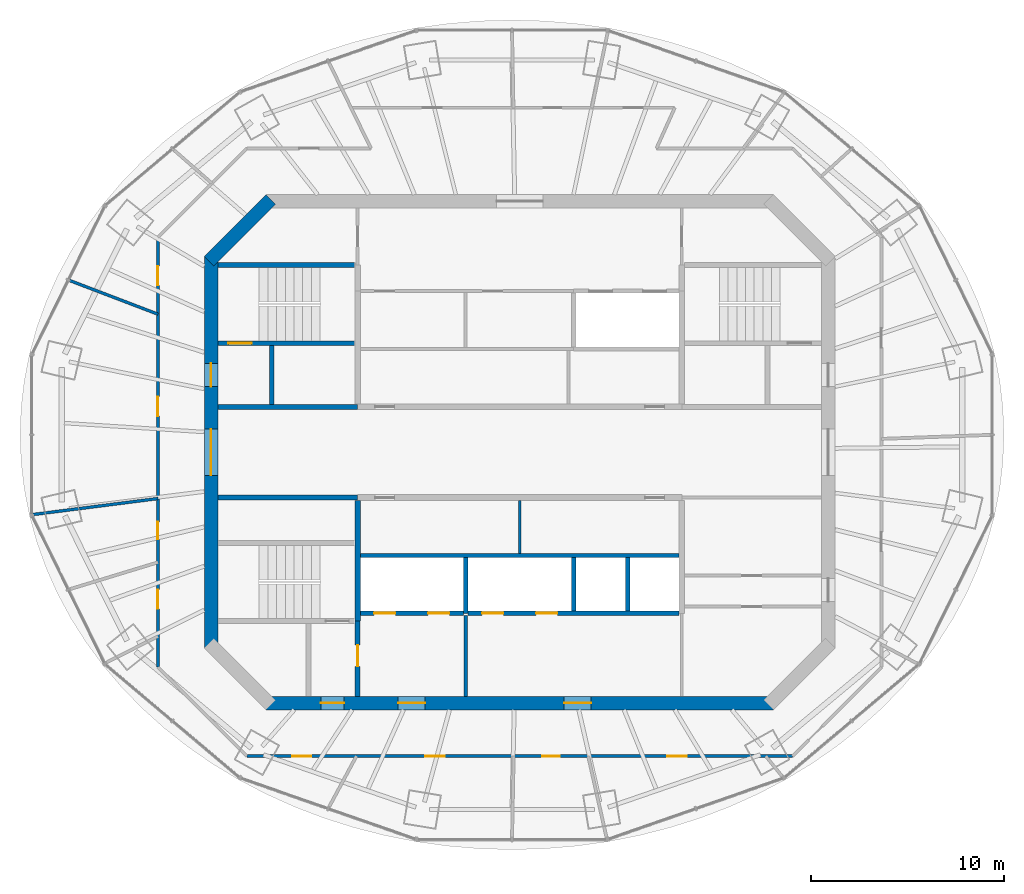
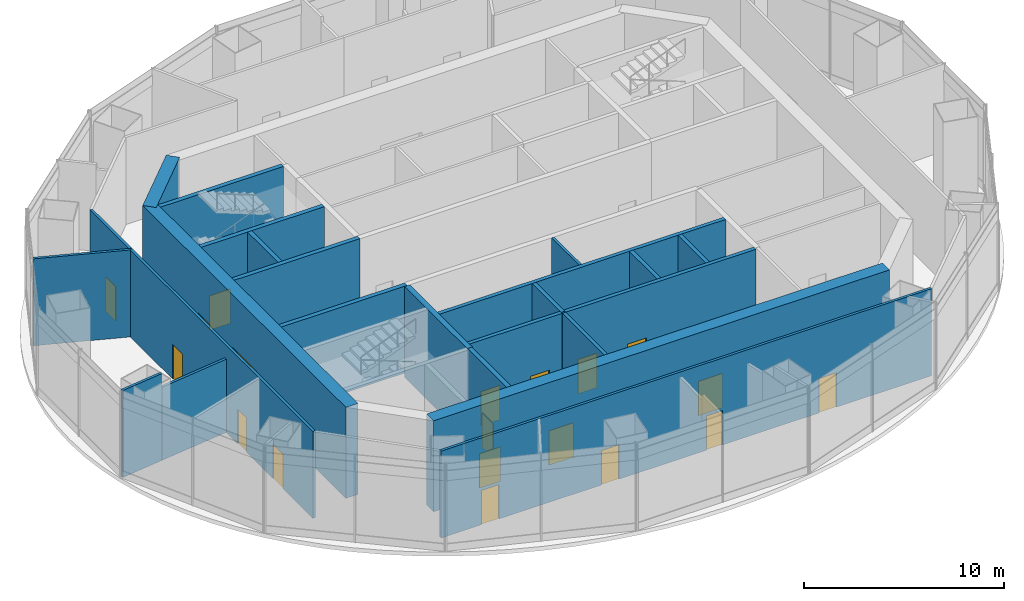
# One storey, part 9 of 13: 23 walls, 19 doors, 19 openings.
"""IFC4 building model written with IfcOpenShell, lengths in metres."""

from ifc_helpers import new_model, si_unit, direction, frame, frame_2d, origin, place, context, subcontext, project, spatial, rectangle, extrude, material, layer, layer_set, type_object, element, fill, save


model = new_model("IFC4")

# Units and contexts
model_context = context("Model", 3, precision=1e-05, world=origin(), true_north=direction((0.0, 1.0)))
body_context = subcontext(model_context, "Body", "Model", "MODEL_VIEW")
ifc_project = project(units=[si_unit("LENGTHUNIT", "METRE"), si_unit("AREAUNIT", "SQUARE_METRE"), si_unit("VOLUMEUNIT", "CUBIC_METRE"), si_unit("PLANEANGLEUNIT", "RADIAN"), si_unit("MASSUNIT", "GRAM", prefix="KILO")], contexts=[model_context])

# Site, building, storey
site_placement = place(None, origin())
site = spatial("IfcSite", under=ifc_project, at=site_placement, CompositionType="ELEMENT")
building_placement = place(site_placement, origin())
building = spatial("IfcBuilding", under=site, at=building_placement, Name="Marenthal Gate Tower", CompositionType="ELEMENT")
storey_placement = place(building_placement, frame((0.0, 0.0, 401.949951171875)))
storey = spatial("IfcBuildingStorey", under=building, at=storey_placement, Name="L91", CompositionType="ELEMENT", Elevation=401.949951171875)

# Wall
ifc_material_1 = material(Name="Concrete 60 MPa", Category="concrete")
ifc_layer_1 = layer(ifc_material_1, 0.699951171875)
ifc_layer_set_1 = layer_set([ifc_layer_1], Name="Core shear wall 700")
wall_type_1 = type_object("IfcWallType", Name="Core shear wall 700", PredefinedType="SHEAR", material=ifc_layer_set_1)
wall_1_placement = place(storey_placement, frame((-12.8974609375, 13.1025390625, -0.25), z_axis=(0.0, 0.0, 1.0), x_axis=(-0.707106781187, -0.707106781187, 0.0)))
element("IfcWall", 1, at=wall_1_placement, inside=storey, type_object=wall_type_1, Name="Core wall 05", PredefinedType="SHEAR", context=body_context, shape_type="SweptSolid", body=[
    extrude(rectangle(XDim=4.53271484375, YDim=0.699951171875, at=frame_2d((2.266357421875, 0.0))), origin(), (0.0, 0.0, 1.0), 5.550048828125),
])

# Wall, openings, doors
wall_2_placement = place(storey_placement, frame((-16.0, 10.14501953125, -0.25), z_axis=(0.0, 0.0, 1.0), x_axis=(0.0, -1.0, 0.0)))
wall_2 = element("IfcWall", 2, at=wall_2_placement, inside=storey, type_object=wall_type_1, Name="Core wall 06", PredefinedType="SHEAR", context=body_context, shape_type="SweptSolid", body=[
    extrude(rectangle(XDim=20.2900390625, YDim=0.699951171875, at=frame_2d((10.14501953125, 0.0))), origin(), (0.0, 0.0, 1.0), 5.550048828125),
])
opening_1_placement = place(wall_2_placement, frame((8.945068359375, 0.0, 0.25)))
opening_1 = element("IfcOpeningElement", 3, at=opening_1_placement, cuts=wall_2, Name="Opening D003.01", PredefinedType="OPENING", context=body_context, shape_type="SweptSolid", body=[
    extrude(rectangle(XDim=2.39990234375, YDim=2.10009765625, at=frame_2d((1.199951171875, 1.050048828125))), frame((0.0, 0.35986328125, 0.0), z_axis=(0.0, -1.0, 0.0), x_axis=(1.0, 0.0, 0.0)), (0.0, 0.0, 1.0), 0.719970703125),
])
opening_2_placement = place(wall_2_placement, frame((5.544921875, 0.0, 0.25)))
opening_2 = element("IfcOpeningElement", 4, at=opening_2_placement, cuts=wall_2, Name="Opening D001.04", PredefinedType="OPENING", context=body_context, shape_type="SweptSolid", body=[
    extrude(rectangle(XDim=1.199951171875, YDim=2.10009765625, at=frame_2d((0.60009765625, 1.050048828125))), frame((0.0, 0.35986328125, 0.0), z_axis=(0.0, -1.0, 0.0), x_axis=(1.0, 0.0, 0.0)), (0.0, 0.0, 1.0), 0.719970703125),
])
ifc_material_2 = material(Name="Steel fire door", Category="steel")
door_type_1 = type_object("IfcDoorType", Name="Double fire door FD 45 2400 x 2100", OperationType="DOUBLE_DOOR_SINGLE_SWING", PredefinedType="DOOR", material=ifc_material_2)
door_1_placement = place(opening_1_placement, origin())
door_1 = element("IfcDoor", 5, at=door_1_placement, inside=storey, type_object=door_type_1, Name="Door D003.01", OperationType="DOUBLE_DOOR_SINGLE_SWING", OverallHeight=2.10009765625, OverallWidth=2.39990234375, PredefinedType="DOOR", context=body_context, shape_type="SweptSolid", body=[
    extrude(rectangle(XDim=2.39990234375, YDim=2.10009765625, at=frame_2d((1.199951171875, 1.050048828125))), frame((0.0, 0.02490234375, 0.0), z_axis=(0.0, -1.0, 0.0), x_axis=(1.0, 0.0, 0.0)), (0.0, 0.0, 1.0), 0.050048828125),
])
fill(opening_1, door_1)
ifc_material_3 = material(Name="Steel fire door", Category="steel")
door_type_2 = type_object("IfcDoorType", Name="Fire door FD 90 1200 x 2100", OperationType="NOTDEFINED", PredefinedType="DOOR", material=ifc_material_3)
door_2_placement = place(opening_2_placement, origin())
door_2 = element("IfcDoor", 6, at=door_2_placement, inside=storey, type_object=door_type_2, Name="Door D001.04", OperationType="SINGLE_SWING_RIGHT", OverallHeight=2.10009765625, OverallWidth=1.199951171875, PredefinedType="DOOR", context=body_context, shape_type="SweptSolid", body=[
    extrude(rectangle(XDim=1.199951171875, YDim=2.10009765625, at=frame_2d((0.60009765625, 1.050048828125))), frame((0.0, 0.02490234375, 0.0), z_axis=(0.0, -1.0, 0.0), x_axis=(1.0, 0.0, 0.0)), (0.0, 0.0, 1.0), 0.050048828125),
])
fill(opening_2, door_2)

wall_3_placement = place(storey_placement, frame((-13.14501953125, -13.0, -0.25), z_axis=(0.0, 0.0, 1.0), x_axis=(1.0, 0.0, 0.0)))
wall_3 = element("IfcWall", 7, at=wall_3_placement, inside=storey, type_object=wall_type_1, Name="Core wall 08", PredefinedType="SHEAR", context=body_context, shape_type="SweptSolid", body=[
    extrude(rectangle(XDim=26.2900390625, YDim=0.699951171875, at=frame_2d((13.14501953125, 0.0))), origin(), (0.0, 0.0, 1.0), 5.550048828125),
])
opening_3_placement = place(wall_3_placement, frame((2.844970703125, 0.0, 0.25)))
opening_3 = element("IfcOpeningElement", 8, at=opening_3_placement, cuts=wall_3, Name="Opening D001.06", PredefinedType="OPENING", context=body_context, shape_type="SweptSolid", body=[
    extrude(rectangle(XDim=1.199951171875, YDim=2.10009765625, at=frame_2d((0.60009765625, 1.050048828125))), frame((0.0, 0.35986328125, 0.0), z_axis=(0.0, -1.0, 0.0), x_axis=(1.0, 0.0, 0.0)), (0.0, 0.0, 1.0), 0.719970703125),
])
opening_4_placement = place(wall_3_placement, frame((6.844970703125, 0.0, 0.25)))
opening_4 = element("IfcOpeningElement", 9, at=opening_4_placement, cuts=wall_3, Name="Opening D004.01", PredefinedType="OPENING", context=body_context, shape_type="SweptSolid", body=[
    extrude(rectangle(XDim=1.39990234375, YDim=2.10009765625, at=frame_2d((0.699951171875, 1.050048828125))), frame((0.0, 0.35986328125, 0.0), z_axis=(0.0, -1.0, 0.0), x_axis=(1.0, 0.0, 0.0)), (0.0, 0.0, 1.0), 0.719970703125),
])
opening_5_placement = place(wall_3_placement, frame((15.445068359375, 0.0, 0.25)))
opening_5 = element("IfcOpeningElement", 10, at=opening_5_placement, cuts=wall_3, Name="Opening D004.02", PredefinedType="OPENING", context=body_context, shape_type="SweptSolid", body=[
    extrude(rectangle(XDim=1.39990234375, YDim=2.10009765625, at=frame_2d((0.699951171875, 1.050048828125))), frame((0.0, 0.35986328125, 0.0), z_axis=(0.0, -1.0, 0.0), x_axis=(1.0, 0.0, 0.0)), (0.0, 0.0, 1.0), 0.719970703125),
])
ifc_material_4 = material(Name="Steel fire door", Category="steel")
door_type_3 = type_object("IfcDoorType", Name="Fire door FD 45 1400 x 2100", OperationType="NOTDEFINED", PredefinedType="DOOR", material=ifc_material_4)
door_3_placement = place(opening_4_placement, origin())
door_3 = element("IfcDoor", 11, at=door_3_placement, inside=storey, type_object=door_type_3, Name="Door D004.01", OperationType="SINGLE_SWING_RIGHT", OverallHeight=2.10009765625, OverallWidth=1.39990234375, PredefinedType="DOOR", context=body_context, shape_type="SweptSolid", body=[
    extrude(rectangle(XDim=1.39990234375, YDim=2.10009765625, at=frame_2d((0.699951171875, 1.050048828125))), frame((0.0, 0.02490234375, 0.0), z_axis=(0.0, -1.0, 0.0), x_axis=(1.0, 0.0, 0.0)), (0.0, 0.0, 1.0), 0.050048828125),
])
fill(opening_4, door_3)
door_4_placement = place(opening_5_placement, origin())
door_4 = element("IfcDoor", 12, at=door_4_placement, inside=storey, type_object=door_type_3, Name="Door D004.02", OperationType="SINGLE_SWING_RIGHT", OverallHeight=2.10009765625, OverallWidth=1.39990234375, PredefinedType="DOOR", context=body_context, shape_type="SweptSolid", body=[
    extrude(rectangle(XDim=1.39990234375, YDim=2.10009765625, at=frame_2d((0.699951171875, 1.050048828125))), frame((0.0, 0.02490234375, 0.0), z_axis=(0.0, -1.0, 0.0), x_axis=(1.0, 0.0, 0.0)), (0.0, 0.0, 1.0), 0.050048828125),
])
fill(opening_5, door_4)
door_5_placement = place(opening_3_placement, origin())
door_5 = element("IfcDoor", 13, at=door_5_placement, inside=storey, type_object=door_type_2, Name="Door D001.06", OperationType="SINGLE_SWING_RIGHT", OverallHeight=2.10009765625, OverallWidth=1.199951171875, PredefinedType="DOOR", context=body_context, shape_type="SweptSolid", body=[
    extrude(rectangle(XDim=1.199951171875, YDim=2.10009765625, at=frame_2d((0.60009765625, 1.050048828125))), frame((0.0, 0.02490234375, 0.0), z_axis=(0.0, -1.0, 0.0), x_axis=(1.0, 0.0, 0.0)), (0.0, 0.0, 1.0), 0.050048828125),
])
fill(opening_3, door_5)

# Walls
ifc_material_5 = material(Name="Gypsum board on steel studs", Category="steel")
ifc_layer_2 = layer(ifc_material_5, 0.199951171875)
ifc_layer_set_2 = layer_set([ifc_layer_2], Name="Fire lobby wall 200")
wall_type_2 = type_object("IfcWallType", Name="Fire lobby wall 200", PredefinedType="PARTITIONING", material=ifc_layer_set_2)
wall_4_placement = place(storey_placement, frame((-2.800048828125, -12.64990234375, 0.0), z_axis=(0.0, 0.0, 1.0), x_axis=(0.0, 1.0, 0.0)))
element("IfcWall", 14, at=wall_4_placement, inside=storey, type_object=wall_type_2, Name="Fire wall 37", PredefinedType="PARTITIONING", context=body_context, shape_type="SweptSolid", body=[
    extrude(rectangle(XDim=4.18994140625, YDim=0.199951171875, at=frame_2d((2.094970703125, 0.0))), origin(), (0.0, 0.0, 1.0), 5.300048828125),
])
ifc_material_6 = material(Name="Concrete 50 MPa", Category="concrete")
ifc_layer_3 = layer(ifc_material_6, 0.300048828125)
ifc_layer_set_3 = layer_set([ifc_layer_3], Name="Hoistway shear wall 300")
wall_type_3 = type_object("IfcWallType", Name="Hoistway shear wall 300", PredefinedType="SHEAR", material=ifc_layer_set_3)
wall_5_placement = place(storey_placement, frame((-8.39990234375, -8.75, -0.25), z_axis=(0.0, 0.0, 1.0), x_axis=(0.0, 1.0, 0.0)))
element("IfcWall", 15, at=wall_5_placement, inside=storey, type_object=wall_type_3, Name="Hoistway wall 33", PredefinedType="SHEAR", context=body_context, shape_type="SweptSolid", body=[
    extrude(rectangle(XDim=6.25, YDim=0.300048828125, at=frame_2d((3.125, 0.0))), origin(), (0.0, 0.0, 1.0), 5.550048828125),
])

# Wall, openings, doors
ifc_material_7 = material(Name="Concrete 40 MPa", Category="concrete")
ifc_layer_4 = layer(ifc_material_7, 0.219970703125)
ifc_layer_set_4 = layer_set([ifc_layer_4], Name="Hoistway wall 220")
wall_type_4 = type_object("IfcWallType", Name="Hoistway wall 220", PredefinedType="STANDARD", material=ifc_layer_set_4)
wall_6_placement = place(storey_placement, frame((-8.25, -8.35009765625, 0.0), z_axis=(0.0, 0.0, 1.0), x_axis=(1.0, 0.0, 0.0)))
wall_6 = element("IfcWall", 16, at=wall_6_placement, inside=storey, type_object=wall_type_4, Name="Hoistway wall 10", PredefinedType="STANDARD", context=body_context, shape_type="SweptSolid", body=[
    extrude(rectangle(XDim=5.340087890625, YDim=0.219970703125, at=frame_2d((2.669921875, 0.0))), origin(), (0.0, 0.0, 1.0), 5.300048828125),
])
opening_6_placement = place(wall_6_placement, frame((0.699951171875, 0.0, 0.0)))
opening_6 = element("IfcOpeningElement", 17, at=opening_6_placement, cuts=wall_6, Name="Opening LD-LF1", PredefinedType="OPENING", context=body_context, shape_type="SweptSolid", body=[
    extrude(rectangle(XDim=1.10009765625, YDim=2.10009765625, at=frame_2d((0.550048828125, 1.050048828125))), frame((0.0, 0.1201171875, 0.0), z_axis=(0.0, -1.0, 0.0), x_axis=(1.0, 0.0, 0.0)), (0.0, 0.0, 1.0), 0.239990234375),
])
opening_7_placement = place(wall_6_placement, frame((3.5, 0.0, 0.0)))
opening_7 = element("IfcOpeningElement", 18, at=opening_7_placement, cuts=wall_6, Name="Opening LD-LF2", PredefinedType="OPENING", context=body_context, shape_type="SweptSolid", body=[
    extrude(rectangle(XDim=1.10009765625, YDim=2.10009765625, at=frame_2d((0.550048828125, 1.050048828125))), frame((0.0, 0.1201171875, 0.0), z_axis=(0.0, -1.0, 0.0), x_axis=(1.0, 0.0, 0.0)), (0.0, 0.0, 1.0), 0.239990234375),
])
ifc_material_8 = material(Name="Stainless steel sliding door", Category="steel")
door_type_4 = type_object("IfcDoorType", Name="Lift landing door FD 90 1100 x 2100", OperationType="DOUBLE_DOOR_SLIDING", PredefinedType="DOOR", material=ifc_material_8)
door_6_placement = place(opening_6_placement, origin())
door_6 = element("IfcDoor", 19, at=door_6_placement, inside=storey, type_object=door_type_4, Name="Lift landing door LF1", OperationType="DOUBLE_DOOR_SLIDING", OverallHeight=2.10009765625, OverallWidth=1.10009765625, PredefinedType="DOOR", context=body_context, shape_type="SweptSolid", body=[
    extrude(rectangle(XDim=1.10009765625, YDim=2.10009765625, at=frame_2d((0.550048828125, 1.050048828125))), frame((0.0, 0.02490234375, 0.0), z_axis=(0.0, -1.0, 0.0), x_axis=(1.0, 0.0, 0.0)), (0.0, 0.0, 1.0), 0.050048828125),
])
fill(opening_6, door_6)
door_7_placement = place(opening_7_placement, origin())
door_7 = element("IfcDoor", 20, at=door_7_placement, inside=storey, type_object=door_type_4, Name="Lift landing door LF2", OperationType="DOUBLE_DOOR_SLIDING", OverallHeight=2.10009765625, OverallWidth=1.10009765625, PredefinedType="DOOR", context=body_context, shape_type="SweptSolid", body=[
    extrude(rectangle(XDim=1.10009765625, YDim=2.10009765625, at=frame_2d((0.550048828125, 1.050048828125))), frame((0.0, 0.02490234375, 0.0), z_axis=(0.0, -1.0, 0.0), x_axis=(1.0, 0.0, 0.0)), (0.0, 0.0, 1.0), 0.050048828125),
])
fill(opening_7, door_7)

wall_7_placement = place(storey_placement, frame((-2.68994140625, -8.35009765625, 0.0), z_axis=(0.0, 0.0, 1.0), x_axis=(1.0, 0.0, 0.0)))
wall_7 = element("IfcWall", 21, at=wall_7_placement, inside=storey, type_object=wall_type_4, Name="Hoistway wall 11", PredefinedType="STANDARD", context=body_context, shape_type="SweptSolid", body=[
    extrude(rectangle(XDim=10.93994140625, YDim=0.219970703125, at=frame_2d((5.469970703125, 0.0))), origin(), (0.0, 0.0, 1.0), 5.300048828125),
])
opening_8_placement = place(wall_7_placement, frame((0.739990234375, 0.0, 0.0)))
opening_8 = element("IfcOpeningElement", 22, at=opening_8_placement, cuts=wall_7, Name="Opening LD-SV1", PredefinedType="OPENING", context=body_context, shape_type="SweptSolid", body=[
    extrude(rectangle(XDim=1.10009765625, YDim=2.10009765625, at=frame_2d((0.550048828125, 1.050048828125))), frame((0.0, 0.1201171875, 0.0), z_axis=(0.0, -1.0, 0.0), x_axis=(1.0, 0.0, 0.0)), (0.0, 0.0, 1.0), 0.239990234375),
])
opening_9_placement = place(wall_7_placement, frame((3.5400390625, 0.0, 0.0)))
opening_9 = element("IfcOpeningElement", 23, at=opening_9_placement, cuts=wall_7, Name="Opening LD-SV2", PredefinedType="OPENING", context=body_context, shape_type="SweptSolid", body=[
    extrude(rectangle(XDim=1.10009765625, YDim=2.10009765625, at=frame_2d((0.550048828125, 1.050048828125))), frame((0.0, 0.1201171875, 0.0), z_axis=(0.0, -1.0, 0.0), x_axis=(1.0, 0.0, 0.0)), (0.0, 0.0, 1.0), 0.239990234375),
])
door_8_placement = place(opening_8_placement, origin())
door_8 = element("IfcDoor", 24, at=door_8_placement, inside=storey, type_object=door_type_4, Name="Lift landing door SV1", OperationType="DOUBLE_DOOR_SLIDING", OverallHeight=2.10009765625, OverallWidth=1.10009765625, PredefinedType="DOOR", context=body_context, shape_type="SweptSolid", body=[
    extrude(rectangle(XDim=1.10009765625, YDim=2.10009765625, at=frame_2d((0.550048828125, 1.050048828125))), frame((0.0, 0.02490234375, 0.0), z_axis=(0.0, -1.0, 0.0), x_axis=(1.0, 0.0, 0.0)), (0.0, 0.0, 1.0), 0.050048828125),
])
fill(opening_8, door_8)
door_9_placement = place(opening_9_placement, origin())
door_9 = element("IfcDoor", 25, at=door_9_placement, inside=storey, type_object=door_type_4, Name="Lift landing door SV2", OperationType="DOUBLE_DOOR_SLIDING", OverallHeight=2.10009765625, OverallWidth=1.10009765625, PredefinedType="DOOR", context=body_context, shape_type="SweptSolid", body=[
    extrude(rectangle(XDim=1.10009765625, YDim=2.10009765625, at=frame_2d((0.550048828125, 1.050048828125))), frame((0.0, 0.02490234375, 0.0), z_axis=(0.0, -1.0, 0.0), x_axis=(1.0, 0.0, 0.0)), (0.0, 0.0, 1.0), 0.050048828125),
])
fill(opening_9, door_9)

# Walls
wall_8_placement = place(storey_placement, frame((-8.25, -5.35009765625, 0.0), z_axis=(0.0, 0.0, 1.0), x_axis=(1.0, 0.0, 0.0)))
element("IfcWall", 26, at=wall_8_placement, inside=storey, type_object=wall_type_4, Name="Hoistway wall 14", PredefinedType="STANDARD", context=body_context, shape_type="SweptSolid", body=[
    extrude(rectangle(XDim=16.5, YDim=0.219970703125, at=frame_2d((8.25, 0.0))), origin(), (0.0, 0.0, 1.0), 5.300048828125),
])
wall_9_placement = place(storey_placement, frame((-2.800048828125, -8.35009765625, 0.0), z_axis=(0.0, 0.0, 1.0), x_axis=(0.0, 1.0, 0.0)))
element("IfcWall", 27, at=wall_9_placement, inside=storey, type_object=wall_type_4, Name="Hoistway wall 38", PredefinedType="STANDARD", context=body_context, shape_type="SweptSolid", body=[
    extrude(rectangle(XDim=2.89013671875, YDim=0.219970703125, at=frame_2d((1.445068359375, 0.0))), origin(), (0.0, 0.0, 1.0), 5.300048828125),
])
for number, where, z_axis, x_axis, name in (
    (28, (2.800048828125, -8.239990234375, 0.0), (0.0, 0.0, 1.0), (0.0, 1.0, 0.0), "Hoistway wall 42"),
    (29, (5.60009765625, -8.239990234375, 0.0), (0.0, 0.0, 1.0), (0.0, 1.0, 0.0), "Hoistway wall 44"),
):
    element("IfcWall", number, at=place(storey_placement, frame(where, z_axis=z_axis, x_axis=x_axis)), inside=storey, type_object=wall_type_4, Name=name, PredefinedType="STANDARD", context=body_context, shape_type="SweptSolid", body=[
        extrude(rectangle(XDim=2.780029296875, YDim=0.219970703125, at=frame_2d((1.39013671875, 0.0))), origin(), (0.0, 0.0, 1.0), 5.300048828125),
    ])
ifc_material_9 = material(Name="Gypsum board on steel studs", Category="steel")
ifc_layer_5 = layer(ifc_material_9, 0.14990234375)
ifc_layer_set_5 = layer_set([ifc_layer_5], Name="Partition 150")
wall_type_5 = type_object("IfcWallType", Name="Partition 150", PredefinedType="PARTITIONING", material=ifc_layer_set_5)
wall_10_placement = place(storey_placement, frame((0.0, -5.239990234375, 0.0), z_axis=(0.0, 0.0, 1.0), x_axis=(0.0, 1.0, 0.0)))
element("IfcWall", 30, at=wall_10_placement, inside=storey, type_object=wall_type_5, Name="Partition wall 40", PredefinedType="PARTITIONING", context=body_context, shape_type="SweptSolid", body=[
    extrude(rectangle(XDim=2.739990234375, YDim=0.14990234375, at=frame_2d((1.3701171875, 0.0))), origin(), (0.0, 0.0, 1.0), 5.300048828125),
])

# Wall, openings, doors
wall_11_placement = place(storey_placement, frame((-14.13916015625, -15.75, 0.0), z_axis=(0.0, 0.0, 1.0), x_axis=(1.0, 0.0, 0.0)))
wall_11 = element("IfcWall", 31, at=wall_11_placement, inside=storey, type_object=wall_type_5, Name="Partition wall 51", PredefinedType="PARTITIONING", context=body_context, shape_type="SweptSolid", body=[
    extrude(rectangle(XDim=28.2783203125, YDim=0.14990234375, at=frame_2d((14.13916015625, 0.0))), origin(), (0.0, 0.0, 1.0), 5.300048828125),
])
opening_10_placement = place(wall_11_placement, frame((2.338134765625, 0.0, 0.0)))
opening_10 = element("IfcOpeningElement", 32, at=opening_10_placement, cuts=wall_11, Name="Opening D012.01", PredefinedType="OPENING", context=body_context, shape_type="SweptSolid", body=[
    extrude(rectangle(XDim=1.0, YDim=2.10009765625, at=frame_2d((0.5, 1.050048828125))), frame((0.0, 0.0849609375, 0.0), z_axis=(0.0, -1.0, 0.0), x_axis=(1.0, 0.0, 0.0)), (0.0, 0.0, 1.0), 0.169921875),
])
opening_11_placement = place(wall_11_placement, frame((9.250732421875, 0.0, 0.0)))
opening_11 = element("IfcOpeningElement", 33, at=opening_11_placement, cuts=wall_11, Name="Opening D012.02", PredefinedType="OPENING", context=body_context, shape_type="SweptSolid", body=[
    extrude(rectangle(XDim=1.0, YDim=2.10009765625, at=frame_2d((0.5, 1.050048828125))), frame((0.0, 0.0849609375, 0.0), z_axis=(0.0, -1.0, 0.0), x_axis=(1.0, 0.0, 0.0)), (0.0, 0.0, 1.0), 0.169921875),
])
opening_12_placement = place(wall_11_placement, frame((15.306396484375, 0.0, 0.0)))
opening_12 = element("IfcOpeningElement", 34, at=opening_12_placement, cuts=wall_11, Name="Opening D011.01", PredefinedType="OPENING", context=body_context, shape_type="SweptSolid", body=[
    extrude(rectangle(XDim=0.89990234375, YDim=2.10009765625, at=frame_2d((0.449951171875, 1.050048828125))), frame((0.0, 0.0849609375, 0.0), z_axis=(0.0, -1.0, 0.0), x_axis=(1.0, 0.0, 0.0)), (0.0, 0.0, 1.0), 0.169921875),
])
opening_13_placement = place(wall_11_placement, frame((21.789306640625, 0.0, 0.0)))
opening_13 = element("IfcOpeningElement", 35, at=opening_13_placement, cuts=wall_11, Name="Opening D012.03", PredefinedType="OPENING", context=body_context, shape_type="SweptSolid", body=[
    extrude(rectangle(XDim=1.0, YDim=2.10009765625, at=frame_2d((0.5, 1.050048828125))), frame((0.0, 0.0849609375, 0.0), z_axis=(0.0, -1.0, 0.0), x_axis=(1.0, 0.0, 0.0)), (0.0, 0.0, 1.0), 0.169921875),
])
ifc_material_10 = material(Name="Timber door", Category="wood")
door_type_5 = type_object("IfcDoorType", Name="Door 1000 x 2100", OperationType="NOTDEFINED", PredefinedType="DOOR", material=ifc_material_10)
door_10_placement = place(opening_10_placement, frame((1.0, 0.0, 0.0), z_axis=(0.0, 0.0, 1.0), x_axis=(-1.0, 0.0, 0.0)))
door_10 = element("IfcDoor", 36, at=door_10_placement, inside=storey, type_object=door_type_5, Name="Door D012.01", OperationType="SINGLE_SWING_LEFT", OverallHeight=2.10009765625, OverallWidth=1.0, PredefinedType="DOOR", context=body_context, shape_type="SweptSolid", body=[
    extrude(rectangle(XDim=1.0, YDim=2.10009765625, at=frame_2d((0.5, 1.050048828125))), frame((0.0, 0.02490234375, 0.0), z_axis=(0.0, -1.0, 0.0), x_axis=(1.0, 0.0, 0.0)), (0.0, 0.0, 1.0), 0.050048828125),
])
fill(opening_10, door_10)
door_11_placement = place(opening_11_placement, frame((1.0, 0.0, 0.0), z_axis=(0.0, 0.0, 1.0), x_axis=(-1.0, 0.0, 0.0)))
door_11 = element("IfcDoor", 37, at=door_11_placement, inside=storey, type_object=door_type_5, Name="Door D012.02", OperationType="SINGLE_SWING_LEFT", OverallHeight=2.10009765625, OverallWidth=1.0, PredefinedType="DOOR", context=body_context, shape_type="SweptSolid", body=[
    extrude(rectangle(XDim=1.0, YDim=2.10009765625, at=frame_2d((0.5, 1.050048828125))), frame((0.0, 0.02490234375, 0.0), z_axis=(0.0, -1.0, 0.0), x_axis=(1.0, 0.0, 0.0)), (0.0, 0.0, 1.0), 0.050048828125),
])
fill(opening_11, door_11)
door_12_placement = place(opening_13_placement, frame((1.0, 0.0, 0.0), z_axis=(0.0, 0.0, 1.0), x_axis=(-1.0, 0.0, 0.0)))
door_12 = element("IfcDoor", 38, at=door_12_placement, inside=storey, type_object=door_type_5, Name="Door D012.03", OperationType="SINGLE_SWING_LEFT", OverallHeight=2.10009765625, OverallWidth=1.0, PredefinedType="DOOR", context=body_context, shape_type="SweptSolid", body=[
    extrude(rectangle(XDim=1.0, YDim=2.10009765625, at=frame_2d((0.5, 1.050048828125))), frame((0.0, 0.02490234375, 0.0), z_axis=(0.0, -1.0, 0.0), x_axis=(1.0, 0.0, 0.0)), (0.0, 0.0, 1.0), 0.050048828125),
])
fill(opening_13, door_12)
ifc_material_11 = material(Name="Timber door", Category="wood")
door_type_6 = type_object("IfcDoorType", Name="Door 900 x 2100", OperationType="NOTDEFINED", PredefinedType="DOOR", material=ifc_material_11)
door_13_placement = place(opening_12_placement, frame((0.89990234375, 0.0, 0.0), z_axis=(0.0, 0.0, 1.0), x_axis=(-1.0, 0.0, 0.0)))
door_13 = element("IfcDoor", 39, at=door_13_placement, inside=storey, type_object=door_type_6, Name="Door D011.01", OperationType="SINGLE_SWING_LEFT", OverallHeight=2.10009765625, OverallWidth=0.89990234375, PredefinedType="DOOR", context=body_context, shape_type="SweptSolid", body=[
    extrude(rectangle(XDim=0.89990234375, YDim=2.10009765625, at=frame_2d((0.449951171875, 1.050048828125))), frame((0.0, 0.02490234375, 0.0), z_axis=(0.0, -1.0, 0.0), x_axis=(1.0, 0.0, 0.0)), (0.0, 0.0, 1.0), 0.050048828125),
])
fill(opening_12, door_13)

# Walls
wall_12_placement = place(storey_placement, frame((-25.272216796875, -3.23828125, 0.0), z_axis=(0.0, 0.0, 1.0), x_axis=(0.991892586567, 0.127079096286, 0.0)))
element("IfcWall", 40, at=wall_12_placement, inside=storey, type_object=wall_type_5, Name="Partition wall 55", PredefinedType="PARTITIONING", context=body_context, shape_type="SweptSolid", body=[
    extrude(rectangle(XDim=2.457275390625, YDim=0.14990234375, at=frame_2d((1.228515625, 0.0))), origin(), (0.0, 0.0, 1.0), 5.300048828125),
])
wall_13_placement = place(storey_placement, frame((-22.8349609375, -2.926025390625, 0.0), z_axis=(0.0, 0.0, 1.0), x_axis=(0.991890098354, 0.127098516069, 0.0)))
element("IfcWall", 41, at=wall_13_placement, inside=storey, type_object=wall_type_5, Name="Partition wall 81", PredefinedType="PARTITIONING", context=body_context, shape_type="SweptSolid", body=[
    extrude(rectangle(XDim=4.118408203125, YDim=0.14990234375, at=frame_2d((2.05908203125, 0.0))), origin(), (0.0, 0.0, 1.0), 4.458984375),
])

# Wall, openings, doors
wall_14_placement = place(storey_placement, frame((-18.75, -11.13916015625, 0.0), z_axis=(0.0, 0.0, 1.0), x_axis=(0.0, 1.0, 0.0)))
wall_14 = element("IfcWall", 42, at=wall_14_placement, inside=storey, type_object=wall_type_5, Name="Partition wall 64", PredefinedType="PARTITIONING", context=body_context, shape_type="SweptSolid", body=[
    extrude(rectangle(XDim=22.2783203125, YDim=0.14990234375, at=frame_2d((11.13916015625, 0.0))), origin(), (0.0, 0.0, 1.0), 5.300048828125),
])
opening_14_placement = place(wall_14_placement, frame((19.78466796875, 0.0, 0.0)))
opening_14 = element("IfcOpeningElement", 43, at=opening_14_placement, cuts=wall_14, Name="Opening D012.11", PredefinedType="OPENING", context=body_context, shape_type="SweptSolid", body=[
    extrude(rectangle(XDim=1.0, YDim=2.10009765625, at=frame_2d((0.5, 1.050048828125))), frame((0.0, 0.0849609375, 0.0), z_axis=(0.0, -1.0, 0.0), x_axis=(1.0, 0.0, 0.0)), (0.0, 0.0, 1.0), 0.169921875),
])
opening_15_placement = place(wall_14_placement, frame((13.013671875, 0.0, 0.0)))
opening_15 = element("IfcOpeningElement", 44, at=opening_15_placement, cuts=wall_14, Name="Opening D012.12", PredefinedType="OPENING", context=body_context, shape_type="SweptSolid", body=[
    extrude(rectangle(XDim=1.0, YDim=2.10009765625, at=frame_2d((0.5, 1.050048828125))), frame((0.0, 0.0849609375, 0.0), z_axis=(0.0, -1.0, 0.0), x_axis=(1.0, 0.0, 0.0)), (0.0, 0.0, 1.0), 0.169921875),
])
opening_16_placement = place(wall_14_placement, frame((6.633056640625, 0.0, 0.0)))
opening_16 = element("IfcOpeningElement", 45, at=opening_16_placement, cuts=wall_14, Name="Opening D011.04", PredefinedType="OPENING", context=body_context, shape_type="SweptSolid", body=[
    extrude(rectangle(XDim=0.89990234375, YDim=2.10009765625, at=frame_2d((0.449951171875, 1.050048828125))), frame((0.0, 0.0849609375, 0.0), z_axis=(0.0, -1.0, 0.0), x_axis=(1.0, 0.0, 0.0)), (0.0, 0.0, 1.0), 0.169921875),
])
opening_17_placement = place(wall_14_placement, frame((3.0126953125, 0.0, 0.0)))
opening_17 = element("IfcOpeningElement", 46, at=opening_17_placement, cuts=wall_14, Name="Opening D012.13", PredefinedType="OPENING", context=body_context, shape_type="SweptSolid", body=[
    extrude(rectangle(XDim=1.0, YDim=2.10009765625, at=frame_2d((0.5, 1.050048828125))), frame((0.0, 0.0849609375, 0.0), z_axis=(0.0, -1.0, 0.0), x_axis=(1.0, 0.0, 0.0)), (0.0, 0.0, 1.0), 0.169921875),
])
door_14_placement = place(opening_14_placement, origin())
door_14 = element("IfcDoor", 47, at=door_14_placement, inside=storey, type_object=door_type_5, Name="Door D012.11", OperationType="SINGLE_SWING_RIGHT", OverallHeight=2.10009765625, OverallWidth=1.0, PredefinedType="DOOR", context=body_context, shape_type="SweptSolid", body=[
    extrude(rectangle(XDim=1.0, YDim=2.10009765625, at=frame_2d((0.5, 1.050048828125))), frame((0.0, 0.02490234375, 0.0), z_axis=(0.0, -1.0, 0.0), x_axis=(1.0, 0.0, 0.0)), (0.0, 0.0, 1.0), 0.050048828125),
])
fill(opening_14, door_14)
door_15_placement = place(opening_15_placement, origin())
door_15 = element("IfcDoor", 48, at=door_15_placement, inside=storey, type_object=door_type_5, Name="Door D012.12", OperationType="SINGLE_SWING_RIGHT", OverallHeight=2.10009765625, OverallWidth=1.0, PredefinedType="DOOR", context=body_context, shape_type="SweptSolid", body=[
    extrude(rectangle(XDim=1.0, YDim=2.10009765625, at=frame_2d((0.5, 1.050048828125))), frame((0.0, 0.02490234375, 0.0), z_axis=(0.0, -1.0, 0.0), x_axis=(1.0, 0.0, 0.0)), (0.0, 0.0, 1.0), 0.050048828125),
])
fill(opening_15, door_15)
door_16_placement = place(opening_17_placement, origin())
door_16 = element("IfcDoor", 49, at=door_16_placement, inside=storey, type_object=door_type_5, Name="Door D012.13", OperationType="SINGLE_SWING_RIGHT", OverallHeight=2.10009765625, OverallWidth=1.0, PredefinedType="DOOR", context=body_context, shape_type="SweptSolid", body=[
    extrude(rectangle(XDim=1.0, YDim=2.10009765625, at=frame_2d((0.5, 1.050048828125))), frame((0.0, 0.02490234375, 0.0), z_axis=(0.0, -1.0, 0.0), x_axis=(1.0, 0.0, 0.0)), (0.0, 0.0, 1.0), 0.050048828125),
])
fill(opening_17, door_16)
door_17_placement = place(opening_16_placement, origin())
door_17 = element("IfcDoor", 50, at=door_17_placement, inside=storey, type_object=door_type_6, Name="Door D011.04", OperationType="SINGLE_SWING_RIGHT", OverallHeight=2.10009765625, OverallWidth=0.89990234375, PredefinedType="DOOR", context=body_context, shape_type="SweptSolid", body=[
    extrude(rectangle(XDim=0.89990234375, YDim=2.10009765625, at=frame_2d((0.449951171875, 1.050048828125))), frame((0.0, 0.02490234375, 0.0), z_axis=(0.0, -1.0, 0.0), x_axis=(1.0, 0.0, 0.0)), (0.0, 0.0, 1.0), 0.050048828125),
])
fill(opening_16, door_17)

# Walls
wall_15_placement = place(storey_placement, frame((-18.75, 7.15185546875, 0.0), z_axis=(0.0, 0.0, 1.0), x_axis=(-0.934331505046, 0.356405160847, 0.0)))
element("IfcWall", 51, at=wall_15_placement, inside=storey, type_object=wall_type_5, Name="Partition wall 72", PredefinedType="PARTITIONING", context=body_context, shape_type="SweptSolid", body=[
    extrude(rectangle(XDim=4.9541015625, YDim=0.14990234375, at=frame_2d((2.47705078125, 0.0))), origin(), (0.0, 0.0, 1.0), 5.300048828125),
])
ifc_material_12 = material(Name="Concrete 40 MPa", Category="concrete")
ifc_layer_6 = layer(ifc_material_12, 0.25)
ifc_layer_set_6 = layer_set([ifc_layer_6], Name="Stair enclosure wall 250")
wall_type_6 = type_object("IfcWallType", Name="Stair enclosure wall 250", PredefinedType="STANDARD", material=ifc_layer_set_6)
for number, where, z_axis, x_axis, name in (
    (52, (-15.64990234375, -2.35009765625, 0.0), (0.0, 0.0, 1.0), (1.0, 0.0, 0.0), "Stair wall 16"),
    (53, (-15.64990234375, 2.35009765625, 0.0), (0.0, 0.0, 1.0), (1.0, 0.0, 0.0), "Stair wall 19"),
):
    element("IfcWall", number, at=place(storey_placement, frame(where, z_axis=z_axis, x_axis=x_axis)), inside=storey, type_object=wall_type_6, Name=name, PredefinedType="STANDARD", context=body_context, shape_type="SweptSolid", body=[
        extrude(rectangle(XDim=7.25, YDim=0.25, at=frame_2d((3.625, 0.0))), origin(), (0.0, 0.0, 1.0), 5.300048828125),
    ])
wall_16_placement = place(storey_placement, frame((-12.85009765625, 2.47509765625, 0.0), z_axis=(0.0, 0.0, 1.0), x_axis=(0.0, 1.0, 0.0)))
element("IfcWall", 54, at=wall_16_placement, inside=storey, type_object=wall_type_6, Name="Stair wall 30", PredefinedType="STANDARD", context=body_context, shape_type="SweptSolid", body=[
    extrude(rectangle(XDim=3.0498046875, YDim=0.25, at=frame_2d((1.52490234375, 0.0))), origin(), (0.0, 0.0, 1.0), 5.300048828125),
])

# Wall, opening, door
wall_17_placement = place(storey_placement, frame((-8.39990234375, -12.64990234375, 0.0), z_axis=(0.0, 0.0, 1.0), x_axis=(0.0, 1.0, 0.0)))
wall_17 = element("IfcWall", 55, at=wall_17_placement, inside=storey, type_object=wall_type_6, Name="Stair wall 32", PredefinedType="STANDARD", context=body_context, shape_type="SweptSolid", body=[
    extrude(rectangle(XDim=3.89990234375, YDim=0.25, at=frame_2d((1.949951171875, 0.0))), origin(), (0.0, 0.0, 1.0), 5.300048828125),
])
opening_18_placement = place(wall_17_placement, frame((1.550048828125, 0.0, 0.0)))
opening_18 = element("IfcOpeningElement", 56, at=opening_18_placement, cuts=wall_17, Name="Opening D002.01", PredefinedType="OPENING", context=body_context, shape_type="SweptSolid", body=[
    extrude(rectangle(XDim=1.10009765625, YDim=2.10009765625, at=frame_2d((0.550048828125, 1.050048828125))), frame((0.0, 0.135009765625, 0.0), z_axis=(0.0, -1.0, 0.0), x_axis=(1.0, 0.0, 0.0)), (0.0, 0.0, 1.0), 0.27001953125),
])
ifc_material_13 = material(Name="Steel fire door", Category="steel")
door_type_7 = type_object("IfcDoorType", Name="Fire door FD 90 1100 x 2100", OperationType="NOTDEFINED", PredefinedType="DOOR", material=ifc_material_13)
door_18_placement = place(opening_18_placement, origin())
door_18 = element("IfcDoor", 57, at=door_18_placement, inside=storey, type_object=door_type_7, Name="Door D002.01", OperationType="SINGLE_SWING_RIGHT", OverallHeight=2.10009765625, OverallWidth=1.10009765625, PredefinedType="DOOR", context=body_context, shape_type="SweptSolid", body=[
    extrude(rectangle(XDim=1.10009765625, YDim=2.10009765625, at=frame_2d((0.550048828125, 1.050048828125))), frame((0.0, 0.02490234375, 0.0), z_axis=(0.0, -1.0, 0.0), x_axis=(1.0, 0.0, 0.0)), (0.0, 0.0, 1.0), 0.050048828125),
])
fill(opening_18, door_18)

ifc_material_14 = material(Name="Concrete 50 MPa", Category="concrete")
ifc_layer_7 = layer(ifc_material_14, 0.25)
ifc_layer_set_7 = layer_set([ifc_layer_7], Name="Stair shear wall 250")
wall_type_7 = type_object("IfcWallType", Name="Stair shear wall 250", PredefinedType="SHEAR", material=ifc_layer_set_7)
wall_18_placement = place(storey_placement, frame((-15.64990234375, 5.64990234375, -0.25), z_axis=(0.0, 0.0, 1.0), x_axis=(1.0, 0.0, 0.0)))
wall_18 = element("IfcWall", 58, at=wall_18_placement, inside=storey, type_object=wall_type_7, Name="Stair wall 24", PredefinedType="SHEAR", context=body_context, shape_type="SweptSolid", body=[
    extrude(rectangle(XDim=7.099853515625, YDim=0.25, at=frame_2d((3.5498046875, 0.0))), origin(), (0.0, 0.0, 1.0), 5.550048828125),
])
opening_19_placement = place(wall_18_placement, frame((0.550048828125, 0.0, 0.25)))
opening_19 = element("IfcOpeningElement", 59, at=opening_19_placement, cuts=wall_18, Name="Opening D001.01", PredefinedType="OPENING", context=body_context, shape_type="SweptSolid", body=[
    extrude(rectangle(XDim=1.199951171875, YDim=2.10009765625, at=frame_2d((0.60009765625, 1.050048828125))), frame((0.0, 0.135009765625, 0.0), z_axis=(0.0, -1.0, 0.0), x_axis=(1.0, 0.0, 0.0)), (0.0, 0.0, 1.0), 0.27001953125),
])
door_19_placement = place(opening_19_placement, origin())
door_19 = element("IfcDoor", 60, at=door_19_placement, inside=storey, type_object=door_type_2, Name="Door D001.01", OperationType="SINGLE_SWING_RIGHT", OverallHeight=2.10009765625, OverallWidth=1.199951171875, PredefinedType="DOOR", context=body_context, shape_type="SweptSolid", body=[
    extrude(rectangle(XDim=1.199951171875, YDim=2.10009765625, at=frame_2d((0.60009765625, 1.050048828125))), frame((0.0, 0.02490234375, 0.0), z_axis=(0.0, -1.0, 0.0), x_axis=(1.0, 0.0, 0.0)), (0.0, 0.0, 1.0), 0.050048828125),
])
fill(opening_19, door_19)

# Wall
wall_19_placement = place(storey_placement, frame((-15.64990234375, 9.699951171875, -0.25), z_axis=(0.0, 0.0, 1.0), x_axis=(1.0, 0.0, 0.0)))
element("IfcWall", 61, at=wall_19_placement, inside=storey, type_object=wall_type_7, Name="Stair wall 28", PredefinedType="SHEAR", context=body_context, shape_type="SweptSolid", body=[
    extrude(rectangle(XDim=7.099853515625, YDim=0.25, at=frame_2d((3.5498046875, 0.0))), origin(), (0.0, 0.0, 1.0), 5.550048828125),
])

save(model, "model.ifc")
